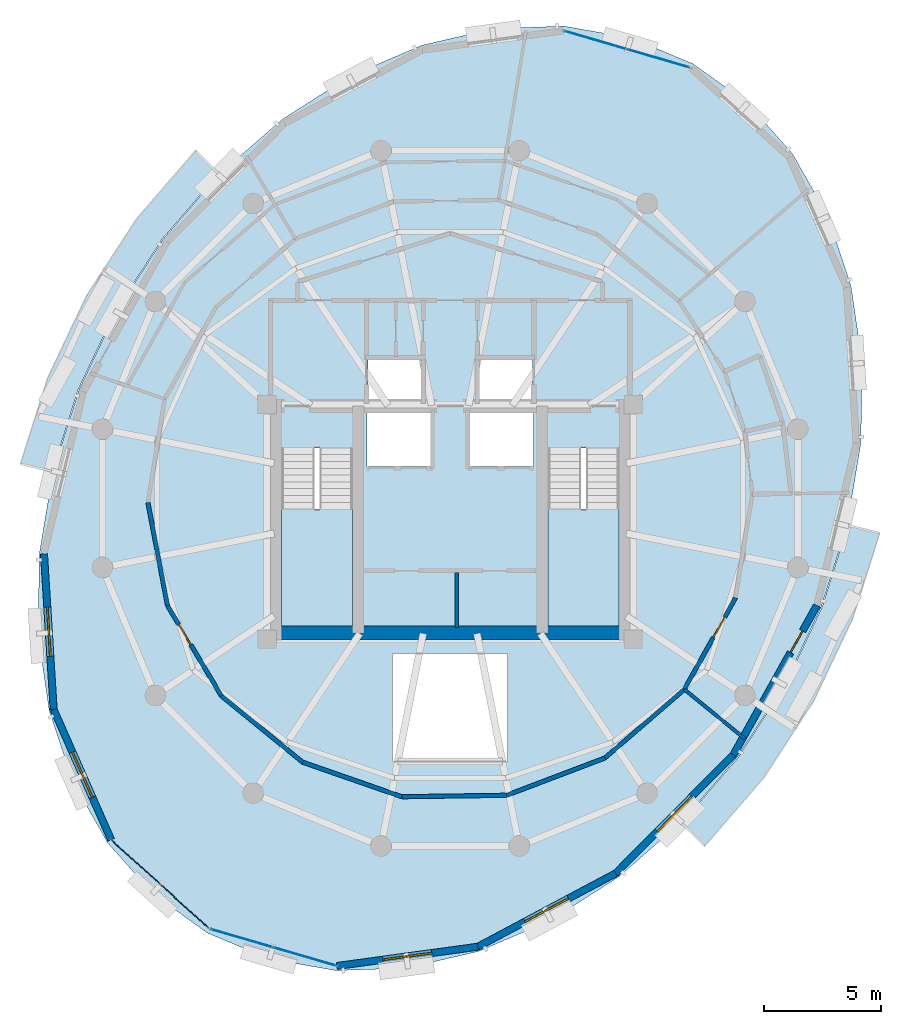
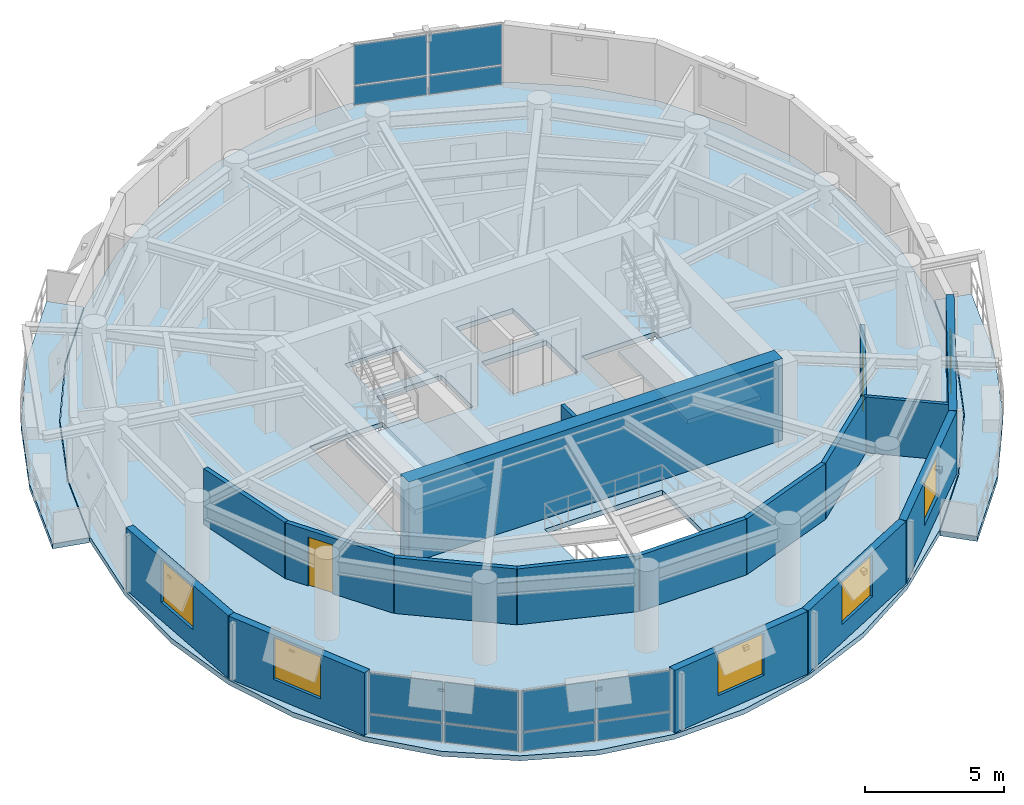
# One storey, part 6 of 11: 17 walls, 12 plates, 5 slabs, 5 windows, 3 doors, 8 openings, 5 elements without a shape of their own.
"""IFC4 building model written with IfcOpenShell, lengths in metres."""

from ifc_helpers import new_model, si_unit, direction, frame, frame_2d, origin, origin_2d, place, context, subcontext, project, spatial, polyline, rectangle, outline, extrude, material, layer, layer_set, type_object, element, fill, aggregate, save


model = new_model("IFC4")

# Units and contexts
model_context = context("Model", 3, precision=1e-05, world=origin(), true_north=direction((0.0, 1.0)))
body_context = subcontext(model_context, "Body", "Model", "MODEL_VIEW")
ifc_project = project(units=[si_unit("LENGTHUNIT", "METRE"), si_unit("AREAUNIT", "SQUARE_METRE"), si_unit("VOLUMEUNIT", "CUBIC_METRE"), si_unit("PLANEANGLEUNIT", "RADIAN"), si_unit("MASSUNIT", "GRAM", prefix="KILO"), si_unit("THERMODYNAMICTEMPERATUREUNIT", "KELVIN"), si_unit("POWERUNIT", "WATT")], contexts=[model_context])

# Site, building, storey
site_placement = place(None, origin())
site = spatial("IfcSite", under=ifc_project, at=site_placement, CompositionType="ELEMENT")
building_placement = place(site_placement, origin())
building = spatial("IfcBuilding", under=site, at=building_placement, Name="Ocrelia Relay Tower", CompositionType="ELEMENT")
storey_placement = place(building_placement, frame((0.0, 0.0, 280.800048828125)))
storey = spatial("IfcBuildingStorey", under=building, at=storey_placement, Name="L70", CompositionType="ELEMENT", Elevation=280.800048828125)

# Curtain wall, plates
ifc_material_1 = material(Name="Aluminium and solar-control low-E glass", Category="aluminium")
ifc_layer_1 = layer(ifc_material_1, 0.179931640625, Name="Aluminium and solar-control low-E glass")
ifc_layer_set_1 = layer_set([ifc_layer_1], Name="Aluminium and solar-control low-E glass")
curtain_wall_type = type_object("IfcCurtainWallType", Name="CW-SYS-Z4-EXEC", PredefinedType="NOTDEFINED", material=ifc_layer_set_1)
curtain_wall_1_placement = place(storey_placement, origin())
curtain_wall_1 = element("IfcCurtainWall", 1, at=curtain_wall_1_placement, inside=storey, type_object=curtain_wall_type, Name="L70 Elliptical Tower Curtain Wall Bay 01", PredefinedType="NOTDEFINED")
ifc_material_2 = material(Name="Clear double-glazed low-E glass", Category="glass")
ifc_layer_2 = layer(ifc_material_2, 0.031982421875, Name="Clear double-glazed low-E glass")
ifc_layer_set_2 = layer_set([ifc_layer_2], Name="Clear double-glazed low-E glass")
plate_type = type_object("IfcPlateType", Name="CW-SYS-Z4-EXEC-PNL", PredefinedType="CURTAIN_PANEL", material=ifc_layer_set_2)
plate_1_placement = place(storey_placement, frame((42.873291015625, 44.731201171875, 0.059814453125), z_axis=(0.0, 0.0, 1.0), x_axis=(-0.960062018454, 0.279787277627, 0.0)))
plate_1 = element("IfcPlate", 2, at=plate_1_placement, type_object=plate_type, Name="CW-Z4 panel 1.1", PredefinedType="CURTAIN_PANEL", context=body_context, shape_type="SweptSolid", body=[
    extrude(rectangle(XDim=2.727783203125, YDim=0.031982421875, at=origin_2d()), origin(), (0.0, 0.0, 1.0), 0.81005859375),
])
plate_2_placement = place(storey_placement, frame((42.873291015625, 44.731201171875, 0.929931640625), z_axis=(0.0, 0.0, 1.0), x_axis=(-0.960062018454, 0.279787277627, 0.0)))
plate_2 = element("IfcPlate", 3, at=plate_2_placement, type_object=plate_type, Name="CW-Z4 panel 1.2", PredefinedType="CURTAIN_PANEL", context=body_context, shape_type="SweptSolid", body=[
    extrude(rectangle(XDim=2.727783203125, YDim=0.031982421875, at=origin_2d()), origin(), (0.0, 0.0, 1.0), 1.77001953125),
])
plate_3_placement = place(storey_placement, frame((40.192138671875, 45.512451171875, 0.059814453125), z_axis=(0.0, 0.0, 1.0), x_axis=(-0.960062018454, 0.279787277627, 0.0)))
plate_3 = element("IfcPlate", 4, at=plate_3_placement, type_object=plate_type, Name="CW-Z4 panel 2.1", PredefinedType="CURTAIN_PANEL", context=body_context, shape_type="SweptSolid", body=[
    extrude(rectangle(XDim=2.727783203125, YDim=0.031982421875, at=origin_2d()), origin(), (0.0, 0.0, 1.0), 0.81005859375),
])
plate_4_placement = place(storey_placement, frame((40.192138671875, 45.512451171875, 0.929931640625), z_axis=(0.0, 0.0, 1.0), x_axis=(-0.960062018454, 0.279787277627, 0.0)))
plate_4 = element("IfcPlate", 5, at=plate_4_placement, type_object=plate_type, Name="CW-Z4 panel 2.2", PredefinedType="CURTAIN_PANEL", context=body_context, shape_type="SweptSolid", body=[
    extrude(rectangle(XDim=2.727783203125, YDim=0.031982421875, at=origin_2d()), origin(), (0.0, 0.0, 1.0), 1.77001953125),
])
aggregate(curtain_wall_1, [plate_1, plate_2, plate_3, plate_4])

curtain_wall_2_placement = place(storey_placement, origin())
curtain_wall_2 = element("IfcCurtainWall", 6, at=curtain_wall_2_placement, inside=storey, type_object=curtain_wall_type, Name="L70 Elliptical Tower Curtain Wall Bay 09", PredefinedType="NOTDEFINED")
plate_5_placement = place(storey_placement, frame((20.625244140625, 10.501708984375, 0.059814453125), z_axis=(0.0, 0.0, 1.0), x_axis=(0.741355880595, -0.671112105618, 0.0)))
plate_5 = element("IfcPlate", 7, at=plate_5_placement, type_object=plate_type, Name="CW-Z4 panel 1.1", PredefinedType="CURTAIN_PANEL", context=body_context, shape_type="SweptSolid", body=[
    extrude(rectangle(XDim=2.727783203125, YDim=0.031982421875, at=origin_2d()), origin(), (0.0, 0.0, 1.0), 0.81005859375),
])
plate_6_placement = place(storey_placement, frame((20.625244140625, 10.501708984375, 0.929931640625), z_axis=(0.0, 0.0, 1.0), x_axis=(0.741355880595, -0.671112105618, 0.0)))
plate_6 = element("IfcPlate", 8, at=plate_6_placement, type_object=plate_type, Name="CW-Z4 panel 1.2", PredefinedType="CURTAIN_PANEL", context=body_context, shape_type="SweptSolid", body=[
    extrude(rectangle(XDim=2.727783203125, YDim=0.031982421875, at=origin_2d()), origin(), (0.0, 0.0, 1.0), 1.77001953125),
])
plate_7_placement = place(storey_placement, frame((22.695556640625, 8.62744140625, 0.059814453125), z_axis=(0.0, 0.0, 1.0), x_axis=(0.741355880595, -0.671112105618, 0.0)))
plate_7 = element("IfcPlate", 9, at=plate_7_placement, type_object=plate_type, Name="CW-Z4 panel 2.1", PredefinedType="CURTAIN_PANEL", context=body_context, shape_type="SweptSolid", body=[
    extrude(rectangle(XDim=2.727783203125, YDim=0.031982421875, at=origin_2d()), origin(), (0.0, 0.0, 1.0), 0.81005859375),
])
plate_8_placement = place(storey_placement, frame((22.695556640625, 8.62744140625, 0.929931640625), z_axis=(0.0, 0.0, 1.0), x_axis=(0.741355880595, -0.671112105618, 0.0)))
plate_8 = element("IfcPlate", 10, at=plate_8_placement, type_object=plate_type, Name="CW-Z4 panel 2.2", PredefinedType="CURTAIN_PANEL", context=body_context, shape_type="SweptSolid", body=[
    extrude(rectangle(XDim=2.727783203125, YDim=0.031982421875, at=origin_2d()), origin(), (0.0, 0.0, 1.0), 1.77001953125),
])
aggregate(curtain_wall_2, [plate_5, plate_6, plate_7, plate_8])

curtain_wall_3_placement = place(storey_placement, origin())
curtain_wall_3 = element("IfcCurtainWall", 11, at=curtain_wall_3_placement, inside=storey, type_object=curtain_wall_type, Name="L70 Elliptical Tower Curtain Wall Bay 10", PredefinedType="NOTDEFINED")
plate_9_placement = place(storey_placement, frame((25.126708984375, 7.268798828125, 0.059814453125), z_axis=(0.0, 0.0, 1.0), x_axis=(0.960062018454, -0.279787277627, 0.0)))
plate_9 = element("IfcPlate", 12, at=plate_9_placement, type_object=plate_type, Name="CW-Z4 panel 1.1", PredefinedType="CURTAIN_PANEL", context=body_context, shape_type="SweptSolid", body=[
    extrude(rectangle(XDim=2.727783203125, YDim=0.031982421875, at=origin_2d()), origin(), (0.0, 0.0, 1.0), 0.81005859375),
])
plate_10_placement = place(storey_placement, frame((25.126708984375, 7.268798828125, 0.929931640625), z_axis=(0.0, 0.0, 1.0), x_axis=(0.960062018454, -0.279787277627, 0.0)))
plate_10 = element("IfcPlate", 13, at=plate_10_placement, type_object=plate_type, Name="CW-Z4 panel 1.2", PredefinedType="CURTAIN_PANEL", context=body_context, shape_type="SweptSolid", body=[
    extrude(rectangle(XDim=2.727783203125, YDim=0.031982421875, at=origin_2d()), origin(), (0.0, 0.0, 1.0), 1.77001953125),
])
plate_11_placement = place(storey_placement, frame((27.807861328125, 6.487548828125, 0.059814453125), z_axis=(0.0, 0.0, 1.0), x_axis=(0.960062018454, -0.279787277627, 0.0)))
plate_11 = element("IfcPlate", 14, at=plate_11_placement, type_object=plate_type, Name="CW-Z4 panel 2.1", PredefinedType="CURTAIN_PANEL", context=body_context, shape_type="SweptSolid", body=[
    extrude(rectangle(XDim=2.727783203125, YDim=0.031982421875, at=origin_2d()), origin(), (0.0, 0.0, 1.0), 0.81005859375),
])
plate_12_placement = place(storey_placement, frame((27.807861328125, 6.487548828125, 0.929931640625), z_axis=(0.0, 0.0, 1.0), x_axis=(0.960062018454, -0.279787277627, 0.0)))
plate_12 = element("IfcPlate", 15, at=plate_12_placement, type_object=plate_type, Name="CW-Z4 panel 2.2", PredefinedType="CURTAIN_PANEL", context=body_context, shape_type="SweptSolid", body=[
    extrude(rectangle(XDim=2.727783203125, YDim=0.031982421875, at=origin_2d()), origin(), (0.0, 0.0, 1.0), 1.77001953125),
])
aggregate(curtain_wall_3, [plate_9, plate_10, plate_11, plate_12])

# Slabs
ifc_material_3 = material(Name="Precast concrete C40/50", Category="concrete")
ifc_layer_3 = layer(ifc_material_3, 0.219970703125, Name="Precast concrete C40/50")
ifc_layer_set_3 = layer_set([ifc_layer_3], Name="Precast concrete C40/50")
slab_type_1 = type_object("IfcSlabType", Name="SL-BALC-220", PredefinedType="FLOOR", material=ifc_layer_set_3)
slab_1_placement = place(storey_placement, frame((0.0, 0.0, -0.219970703125)))
element("IfcSlab", 16, at=slab_1_placement, inside=storey, type_object=slab_type_1, Name="L70 Planted Loggia Balcony B1", PredefinedType="FLOOR", context=body_context, shape_type="SweptSolid", body=[
    extrude(outline(polyline([(24.1455078125, 39.822998046875), (22.952392578125, 38.443115234375), (21.759521484375, 37.06298828125), (19.7451171875, 33.966796875), (18.16357421875, 30.62890625), (17.61328125, 28.889404296875), (17.06298828125, 27.150146484375), (15.7080078125, 27.475830078125), (16.287353515625, 29.30712890625), (16.866943359375, 31.138427734375), (18.529052734375, 34.646484375), (20.64599609375, 37.900390625), (21.902099609375, 39.353271484375), (23.158203125, 40.806396484375), (24.1455078125, 39.822998046875)])), origin(), (0.0, 0.0, 1.0), 0.219970703125),
])
slab_2_placement = place(storey_placement, frame((0.0, 0.0, -0.219970703125)))
element("IfcSlab", 17, at=slab_2_placement, inside=storey, type_object=slab_type_1, Name="L70 Planted Loggia Balcony B2", PredefinedType="FLOOR", context=body_context, shape_type="SweptSolid", body=[
    extrude(outline(polyline([(43.8544921875, 12.177001953125), (45.047607421875, 13.556884765625), (46.240478515625, 14.93701171875), (48.2548828125, 18.033203125), (49.83642578125, 21.37109375), (50.38671875, 23.110595703125), (50.93701171875, 24.849853515625), (52.2919921875, 24.524169921875), (51.712646484375, 22.69287109375), (51.133056640625, 20.861572265625), (49.470947265625, 17.353515625), (47.35400390625, 14.099609375), (46.097900390625, 12.646728515625), (44.841796875, 11.193603515625), (43.8544921875, 12.177001953125)])), origin(), (0.0, 0.0, 1.0), 0.219970703125),
])
ifc_material_4 = material(Name="Concrete C50/60", Category="concrete")
ifc_layer_4 = layer(ifc_material_4, 0.219970703125, Name="Concrete C50/60")
ifc_layer_set_4 = layer_set([ifc_layer_4], Name="Concrete C50/60")
slab_type_2 = type_object("IfcSlabType", Name="SL-FLR-220", PredefinedType="FLOOR", material=ifc_layer_set_4)
slab_3_placement = place(storey_placement, frame((0.0, 0.0, -0.219970703125)))
element("IfcSlab", 18, at=slab_3_placement, inside=storey, type_object=slab_type_2, Name="L70 Elliptical Tower Floor Slab", PredefinedType="FLOOR", context=body_context, shape_type="SweptSolid", body=[
    extrude(outline(polyline([(44.342529296875, 44.505859375), (41.714599609375, 45.605712890625), (38.852294921875, 46.109619140625), (35.8427734375, 46.002685546875), (32.77685546875, 45.287841796875), (29.748291015625, 43.987060546875), (26.84912109375, 42.1396484375), (24.166748046875, 39.802001953125), (21.783447265625, 37.044921875), (19.771484375, 33.9521484375), (18.191650390625, 30.617919921875), (17.092041015625, 27.14306640625), (16.50634765625, 23.6337890625), (16.4521484375, 20.1962890625), (16.93115234375, 16.93505859375), (17.9287109375, 13.949462890625), (19.41455078125, 11.329833984375), (21.34375, 9.156005859375), (23.657470703125, 7.494140625), (26.285400390625, 6.394287109375), (29.147705078125, 5.890380859375), (32.1572265625, 5.997314453125), (35.22314453125, 6.712158203125), (38.251708984375, 8.012939453125), (41.15087890625, 9.8603515625), (43.833251953125, 12.197998046875), (46.216552734375, 14.955078125), (48.228515625, 18.0478515625), (49.808349609375, 21.382080078125), (50.907958984375, 24.85693359375), (51.49365234375, 28.3662109375), (51.5478515625, 31.8037109375), (51.06884765625, 35.06494140625), (50.0712890625, 38.050537109375), (48.58544921875, 40.670166015625), (46.65625, 42.843994140625), (44.342529296875, 44.505859375)]), holes=[polyline([(26.81005859375, 28.14990234375), (26.81005859375, 20.550048828125), (29.85009765625, 20.550048828125), (29.85009765625, 28.14990234375), (26.81005859375, 28.14990234375)]), polyline([(38.159912109375, 28.14990234375), (38.159912109375, 20.550048828125), (41.199951171875, 20.550048828125), (41.199951171875, 28.14990234375), (38.159912109375, 28.14990234375)]), polyline([(30.4599609375, 27.35009765625), (33.159912109375, 27.35009765625), (33.159912109375, 29.64990234375), (30.4599609375, 29.64990234375), (30.4599609375, 27.35009765625)]), polyline([(34.840087890625, 27.35009765625), (37.5400390625, 27.35009765625), (37.5400390625, 29.64990234375), (34.840087890625, 29.64990234375), (34.840087890625, 27.35009765625)]), polyline([(30.5, 30.10009765625), (32.85009765625, 30.10009765625), (32.85009765625, 32.0), (30.5, 32.0), (30.5, 30.10009765625)]), polyline([(35.14990234375, 30.10009765625), (37.5, 30.10009765625), (37.5, 32.0), (35.14990234375, 32.0), (35.14990234375, 30.10009765625)]), polyline([(31.550048828125, 14.800048828125), (36.449951171875, 14.800048828125), (36.449951171875, 19.39990234375), (31.550048828125, 19.39990234375), (31.550048828125, 14.800048828125)])]), origin(), (0.0, 0.0, 1.0), 0.219970703125),
])

# Stair, slab
stair_type = type_object("IfcStairType", Name="ST-DL-1420-R180", PredefinedType="HALF_TURN_STAIR", material=ifc_material_4)
stair_1_placement = place(storey_placement, origin())
stair_1 = element("IfcStair", 19, at=stair_1_placement, inside=storey, type_object=stair_type, Name="L70 West Core Exit Stair ST1", PredefinedType="HALF_TURN_STAIR")
ifc_layer_5 = layer(ifc_material_4, 0.199951171875, Name="Concrete C50/60")
ifc_layer_set_5 = layer_set([ifc_layer_5], Name="Concrete C50/60")
slab_type_3 = type_object("IfcSlabType", Name="SL-LANDING-200", PredefinedType="LANDING", material=ifc_layer_set_5)
slab_4_placement = place(storey_placement, frame((0.0, 0.0, 1.599853515625)))
slab_4 = element("IfcSlab", 20, at=slab_4_placement, type_object=slab_type_3, Name="ST1 landing 1", PredefinedType="LANDING", context=body_context, shape_type="SweptSolid", body=[
    extrude(outline(polyline([(26.81005859375, 25.5400390625), (26.81005859375, 20.550048828125), (29.85009765625, 20.550048828125), (29.85009765625, 25.5400390625), (26.81005859375, 25.5400390625)])), origin(), (0.0, 0.0, 1.0), 0.2001953125),
])
aggregate(stair_1, [slab_4])

stair_2_placement = place(storey_placement, origin())
stair_2 = element("IfcStair", 21, at=stair_2_placement, inside=storey, type_object=stair_type, Name="L70 East Core Exit Stair ST2", PredefinedType="HALF_TURN_STAIR")
slab_5_placement = place(storey_placement, frame((0.0, 0.0, 1.599853515625)))
slab_5 = element("IfcSlab", 22, at=slab_5_placement, type_object=slab_type_3, Name="ST2 landing 1", PredefinedType="LANDING", context=body_context, shape_type="SweptSolid", body=[
    extrude(outline(polyline([(38.159912109375, 25.5400390625), (38.159912109375, 20.550048828125), (41.199951171875, 20.550048828125), (41.199951171875, 25.5400390625), (38.159912109375, 25.5400390625)])), origin(), (0.0, 0.0, 1.0), 0.2001953125),
])
aggregate(stair_2, [slab_5])

# Walls
ifc_layer_6 = layer(ifc_material_4, 0.60009765625, Name="Concrete C50/60")
ifc_layer_set_6 = layer_set([ifc_layer_6], Name="Concrete C50/60")
wall_type_1 = type_object("IfcWallType", Name="CW-CORE-600B", PredefinedType="SHEAR", material=ifc_layer_set_6)
wall_1_placement = place(storey_placement, frame((26.221923828125, 20.261962890625, 0.0), z_axis=(0.0, 0.0, 1.0), x_axis=(1.0, 0.0, 0.0)))
element("IfcWall", 23, at=wall_1_placement, inside=storey, type_object=wall_type_1, Name="L70 Core Shear Wall S", PredefinedType="SHEAR", context=body_context, shape_type="SweptSolid", body=[
    extrude(rectangle(XDim=15.566162109375, YDim=0.60009765625, at=frame_2d((7.783203125, 0.0))), origin(), (0.0, 0.0, 1.0), 3.599853515625),
])
ifc_material_5 = material(Name="Gypsum Fireboard Partition EI60", Category="gypsum")
ifc_layer_7 = layer(ifc_material_5, 0.179931640625, Name="Gypsum Fireboard Partition EI60")
ifc_layer_set_7 = layer_set([ifc_layer_7], Name="Gypsum Fireboard Partition EI60")
wall_type_2 = type_object("IfcWallType", Name="W-CORR-EI60-180", PredefinedType="PARTITIONING", material=ifc_layer_set_7)
wall_2_placement = place(storey_placement, frame((21.13134765625, 25.8203125, 0.0), z_axis=(0.0, 0.0, 1.0), x_axis=(0.187348034015, -0.982293598753, 0.0)))
element("IfcWall", 24, at=wall_2_placement, inside=storey, type_object=wall_type_2, Name="L70 Diplomatic Protocol Foyer Corridor Partition 2", PredefinedType="PARTITIONING", context=body_context, shape_type="SweptSolid", body=[
    extrude(rectangle(XDim=4.4697265625, YDim=0.179931640625, at=frame_2d((2.23486328125, 0.0))), origin(), (0.0, 0.0, 1.0), 2.4599609375),
])

# Wall, opening, door
wall_3_placement = place(storey_placement, frame((21.96875, 21.4296875, 0.0), z_axis=(0.0, 0.0, 1.0), x_axis=(0.512083917076, -0.858935423575, 0.0)))
wall_3 = element("IfcWall", 25, at=wall_3_placement, inside=storey, type_object=wall_type_2, Name="L70 Diplomatic Protocol Foyer Corridor Partition 3", PredefinedType="PARTITIONING", context=body_context, shape_type="SweptSolid", body=[
    extrude(rectangle(XDim=4.4697265625, YDim=0.179931640625, at=frame_2d((2.23486328125, 0.0))), origin(), (0.0, 0.0, 1.0), 2.4599609375),
])
opening_1_placement = place(wall_3_placement, frame((0.9423828125, 0.0, 0.0)))
opening_1 = element("IfcOpeningElement", 26, at=opening_1_placement, cuts=wall_3, Name="Opening D-RM100", PredefinedType="OPENING", context=body_context, shape_type="SweptSolid", body=[
    extrude(rectangle(XDim=1.0, YDim=2.14990234375, at=frame_2d((0.5, 1.074951171875))), frame((0.0, 0.10009765625, 0.0), z_axis=(0.0, -1.0, 0.0), x_axis=(1.0, 0.0, 0.0)), (0.0, 0.0, 1.0), 0.199951171875),
])
ifc_material_6 = material(Name="Acoustic oak veneer fire door", Category="wood")
door_type_1 = type_object("IfcDoorType", Name="DR-ROOM-FD60-1000", OperationType="NOTDEFINED", PredefinedType="DOOR", material=ifc_material_6)
door_1_placement = place(opening_1_placement, origin())
door_1 = element("IfcDoor", 27, at=door_1_placement, inside=storey, type_object=door_type_1, Name="L70 Diplomatic Protocol Foyer Entrance Door", OperationType="SINGLE_SWING_LEFT", OverallHeight=2.14990234375, OverallWidth=1.0, PredefinedType="DOOR", context=body_context, shape_type="SweptSolid", body=[
    extrude(rectangle(XDim=1.0, YDim=2.14990234375, at=frame_2d((0.5, 1.074951171875))), frame((0.0, 0.02490234375, 0.0), z_axis=(0.0, -1.0, 0.0), x_axis=(1.0, 0.0, 0.0)), (0.0, 0.0, 1.0), 0.050048828125),
])
fill(opening_1, door_1)

# Walls
for number, where, z_axis, x_axis, name in (
    (28, (24.257568359375, 17.590576171875, 0.0), (0.0, 0.0, 1.0), (0.774907966297, -0.632074080919, 0.0), "L70 Diplomatic Protocol Foyer Corridor Partition 4"),
    (29, (27.72119140625, 14.765380859375, 0.0), (0.0, 0.0, 1.0), (0.944393587755, -0.328817200595, 0.0), "L70 Diplomatic Protocol Foyer Corridor Partition 5"),
    (30, (31.9423828125, 13.295654296875, 0.0), (0.0, 0.0, 1.0), (0.99990299363, 0.013928507778, 0.0), "L70 Diplomatic Protocol Foyer Corridor Partition 6"),
    (31, (36.41162109375, 13.35791015625, 0.0), (0.0, 0.0, 1.0), (0.934814409171, 0.355136622169, 0.0), "L70 Diplomatic Protocol Foyer Corridor Partition 7"),
):
    element("IfcWall", number, at=place(storey_placement, frame(where, z_axis=z_axis, x_axis=x_axis)), inside=storey, type_object=wall_type_2, Name=name, PredefinedType="PARTITIONING", context=body_context, shape_type="SweptSolid", body=[
        extrude(rectangle(XDim=4.4697265625, YDim=0.179931640625, at=frame_2d((2.23486328125, 0.0))), origin(), (0.0, 0.0, 1.0), 2.4599609375),
    ])
wall_4_placement = place(storey_placement, frame((40.590087890625, 14.9453125, 0.0), z_axis=(0.0, 0.0, 1.0), x_axis=(0.756992481262, 0.653423586438, 0.0)))
element("IfcWall", 32, at=wall_4_placement, inside=storey, type_object=wall_type_2, Name="L70 Diplomatic Protocol Foyer Corridor Partition 8", PredefinedType="PARTITIONING", context=body_context, shape_type="SweptSolid", body=[
    extrude(rectangle(XDim=4.469482421875, YDim=0.179931640625, at=frame_2d((2.23486328125, 0.0))), origin(), (0.0, 0.0, 1.0), 2.4599609375),
])

# Wall, opening, door
wall_5_placement = place(storey_placement, frame((43.973388671875, 17.86572265625, 0.0), z_axis=(0.0, 0.0, 1.0), x_axis=(0.487858082028, 0.872922958685, 0.0)))
wall_5 = element("IfcWall", 33, at=wall_5_placement, inside=storey, type_object=wall_type_2, Name="L70 Technician Tea Pantry Corridor Partition 1", PredefinedType="PARTITIONING", context=body_context, shape_type="SweptSolid", body=[
    extrude(rectangle(XDim=4.469970703125, YDim=0.179931640625, at=frame_2d((2.23486328125, 0.0))), origin(), (0.0, 0.0, 1.0), 2.4599609375),
])
opening_2_placement = place(wall_5_placement, frame((2.52734375, 0.0, 0.0)))
opening_2 = element("IfcOpeningElement", 34, at=opening_2_placement, cuts=wall_5, Name="Opening D-RM100", PredefinedType="OPENING", context=body_context, shape_type="SweptSolid", body=[
    extrude(rectangle(XDim=1.0, YDim=2.14990234375, at=frame_2d((0.5, 1.074951171875))), frame((0.0, 0.10009765625, 0.0), z_axis=(0.0, -1.0, 0.0), x_axis=(1.0, 0.0, 0.0)), (0.0, 0.0, 1.0), 0.199951171875),
])
door_2_placement = place(opening_2_placement, origin())
door_2 = element("IfcDoor", 35, at=door_2_placement, inside=storey, type_object=door_type_1, Name="L70 Technician Tea Pantry Entrance Door", OperationType="SINGLE_SWING_RIGHT", OverallHeight=2.14990234375, OverallWidth=1.0, PredefinedType="DOOR", context=body_context, shape_type="SweptSolid", body=[
    extrude(rectangle(XDim=1.0, YDim=2.14990234375, at=frame_2d((0.5, 1.074951171875))), frame((0.0, 0.02490234375, 0.0), z_axis=(0.0, -1.0, 0.0), x_axis=(1.0, 0.0, 0.0)), (0.0, 0.0, 1.0), 0.050048828125),
])
fill(opening_2, door_2)

# Wall, opening, window
ifc_material_7 = material(Name="Precast concrete C40/50 with oxide terracotta", Category="masonry")
ifc_layer_8 = layer(ifc_material_7, 0.300048828125, Name="Precast concrete C40/50 with oxide terracotta")
ifc_layer_set_8 = layer_set([ifc_layer_8], Name="Precast concrete C40/50 with oxide terracotta")
wall_type_3 = type_object("IfcWallType", Name="W-EXT-TERR-300", PredefinedType="SOLIDWALL", material=ifc_layer_set_8)
wall_6_placement = place(storey_placement, frame((16.706298828125, 23.636474609375, 0.0), z_axis=(0.0, 0.0, 1.0), x_axis=(0.06199847646, -0.99807624404, 0.0)))
wall_6 = element("IfcWall", 36, at=wall_6_placement, inside=storey, type_object=wall_type_3, Name="L70 Oxide Terracotta Facade Wall 07", PredefinedType="SOLIDWALL", context=body_context, shape_type="SweptSolid", body=[
    extrude(rectangle(XDim=6.64306640625, YDim=0.300048828125, at=frame_2d((3.321533203125, 0.0))), origin(), (0.0, 0.0, 1.0), 2.760009765625),
])
opening_3_placement = place(wall_6_placement, frame((2.27197265625, 0.0, 0.800048828125)))
opening_3 = element("IfcOpeningElement", 37, at=opening_3_placement, cuts=wall_6, Name="Opening W-07", PredefinedType="OPENING", context=body_context, shape_type="SweptSolid", body=[
    extrude(rectangle(XDim=2.10009765625, YDim=1.85009765625, at=frame_2d((1.050048828125, 0.925048828125))), frame((0.0, 0.16015625, 0.0), z_axis=(0.0, -1.0, 0.0), x_axis=(1.0, 0.0, 0.0)), (0.0, 0.0, 1.0), 0.320068359375),
])
window_type = type_object("IfcWindowType", Name="WIN-Z4-2100x2200", PartitioningType="DOUBLE_PANEL_VERTICAL", PredefinedType="WINDOW", material=ifc_material_2)
window_1_placement = place(opening_3_placement, origin())
window_1 = element("IfcWindow", 38, at=window_1_placement, inside=storey, type_object=window_type, Name="L70 Facade Module Window 07", OverallHeight=1.85009765625, OverallWidth=2.10009765625, PartitioningType="SINGLE_PANEL", PredefinedType="WINDOW", context=body_context, shape_type="SweptSolid", body=[
    extrude(rectangle(XDim=2.10009765625, YDim=1.85009765625, at=frame_2d((1.050048828125, 0.925048828125))), frame((0.0, 0.030029296875, 0.0), z_axis=(0.0, -1.0, 0.0), x_axis=(1.0, 0.0, 0.0)), (0.0, 0.0, 1.0), 0.06005859375),
])
fill(opening_3, window_1)

wall_7_placement = place(storey_placement, frame((17.1181640625, 17.006103515625, 0.0), z_axis=(0.0, 0.0, 1.0), x_axis=(0.40381273821, -0.91484166524, 0.0)))
wall_7 = element("IfcWall", 39, at=wall_7_placement, inside=storey, type_object=wall_type_3, Name="L70 Oxide Terracotta Facade Wall 08", PredefinedType="SOLIDWALL", context=body_context, shape_type="SweptSolid", body=[
    extrude(rectangle(XDim=6.0615234375, YDim=0.300048828125, at=frame_2d((3.03076171875, 0.0))), origin(), (0.0, 0.0, 1.0), 2.760009765625),
])
opening_4_placement = place(wall_7_placement, frame((1.98095703125, 0.0, 0.800048828125)))
opening_4 = element("IfcOpeningElement", 40, at=opening_4_placement, cuts=wall_7, Name="Opening W-07", PredefinedType="OPENING", context=body_context, shape_type="SweptSolid", body=[
    extrude(rectangle(XDim=2.10009765625, YDim=1.85009765625, at=frame_2d((1.050048828125, 0.925048828125))), frame((0.0, 0.16015625, 0.0), z_axis=(0.0, -1.0, 0.0), x_axis=(1.0, 0.0, 0.0)), (0.0, 0.0, 1.0), 0.320068359375),
])
window_2_placement = place(opening_4_placement, origin())
window_2 = element("IfcWindow", 41, at=window_2_placement, inside=storey, type_object=window_type, Name="L70 Facade Module Window 08", OverallHeight=1.85009765625, OverallWidth=2.10009765625, PartitioningType="SINGLE_PANEL", PredefinedType="WINDOW", context=body_context, shape_type="SweptSolid", body=[
    extrude(rectangle(XDim=2.10009765625, YDim=1.85009765625, at=frame_2d((1.050048828125, 0.925048828125))), frame((0.0, 0.030029296875, 0.0), z_axis=(0.0, -1.0, 0.0), x_axis=(1.0, 0.0, 0.0)), (0.0, 0.0, 1.0), 0.06005859375),
])
fill(opening_4, window_2)

wall_8_placement = place(storey_placement, frame((29.1796875, 6.087646484375, 0.0), z_axis=(0.0, 0.0, 1.0), x_axis=(0.99078452566, 0.135447494301, 0.0)))
wall_8 = element("IfcWall", 42, at=wall_8_placement, inside=storey, type_object=wall_type_3, Name="L70 Oxide Terracotta Facade Wall 11", PredefinedType="SOLIDWALL", context=body_context, shape_type="SweptSolid", body=[
    extrude(rectangle(XDim=6.061767578125, YDim=0.300048828125, at=frame_2d((3.03076171875, 0.0))), origin(), (0.0, 0.0, 1.0), 2.760009765625),
])
opening_5_placement = place(wall_8_placement, frame((1.98095703125, 0.0, 0.800048828125)))
opening_5 = element("IfcOpeningElement", 43, at=opening_5_placement, cuts=wall_8, Name="Opening W-07", PredefinedType="OPENING", context=body_context, shape_type="SweptSolid", body=[
    extrude(rectangle(XDim=2.10009765625, YDim=1.85009765625, at=frame_2d((1.050048828125, 0.925048828125))), frame((0.0, 0.16015625, 0.0), z_axis=(0.0, -1.0, 0.0), x_axis=(1.0, 0.0, 0.0)), (0.0, 0.0, 1.0), 0.320068359375),
])
window_3_placement = place(opening_5_placement, origin())
window_3 = element("IfcWindow", 44, at=window_3_placement, inside=storey, type_object=window_type, Name="L70 Facade Module Window 11", OverallHeight=1.85009765625, OverallWidth=2.10009765625, PartitioningType="SINGLE_PANEL", PredefinedType="WINDOW", context=body_context, shape_type="SweptSolid", body=[
    extrude(rectangle(XDim=2.10009765625, YDim=1.85009765625, at=frame_2d((1.050048828125, 0.925048828125))), frame((0.0, 0.030029296875, 0.0), z_axis=(0.0, -1.0, 0.0), x_axis=(1.0, 0.0, 0.0)), (0.0, 0.0, 1.0), 0.06005859375),
])
fill(opening_5, window_3)

wall_9_placement = place(storey_placement, frame((35.185546875, 6.90869140625, 0.0), z_axis=(0.0, 0.0, 1.0), x_axis=(0.882581737435, 0.470158990923, 0.0)))
wall_9 = element("IfcWall", 45, at=wall_9_placement, inside=storey, type_object=wall_type_3, Name="L70 Oxide Terracotta Facade Wall 12", PredefinedType="SOLIDWALL", context=body_context, shape_type="SweptSolid", body=[
    extrude(rectangle(XDim=6.64306640625, YDim=0.300048828125, at=frame_2d((3.321533203125, 0.0))), origin(), (0.0, 0.0, 1.0), 2.760009765625),
])
opening_6_placement = place(wall_9_placement, frame((2.27197265625, 0.0, 0.800048828125)))
opening_6 = element("IfcOpeningElement", 46, at=opening_6_placement, cuts=wall_9, Name="Opening W-07", PredefinedType="OPENING", context=body_context, shape_type="SweptSolid", body=[
    extrude(rectangle(XDim=2.10009765625, YDim=1.85009765625, at=frame_2d((1.050048828125, 0.925048828125))), frame((0.0, 0.16015625, 0.0), z_axis=(0.0, -1.0, 0.0), x_axis=(1.0, 0.0, 0.0)), (0.0, 0.0, 1.0), 0.320068359375),
])
window_4_placement = place(opening_6_placement, origin())
window_4 = element("IfcWindow", 47, at=window_4_placement, inside=storey, type_object=window_type, Name="L70 Facade Module Window 12", OverallHeight=1.85009765625, OverallWidth=2.10009765625, PartitioningType="SINGLE_PANEL", PredefinedType="WINDOW", context=body_context, shape_type="SweptSolid", body=[
    extrude(rectangle(XDim=2.10009765625, YDim=1.85009765625, at=frame_2d((1.050048828125, 0.925048828125))), frame((0.0, 0.030029296875, 0.0), z_axis=(0.0, -1.0, 0.0), x_axis=(1.0, 0.0, 0.0)), (0.0, 0.0, 1.0), 0.06005859375),
])
fill(opening_6, window_4)

wall_10_placement = place(storey_placement, frame((41.048583984375, 10.031982421875, 0.0), z_axis=(0.0, 0.0, 1.0), x_axis=(0.704528696966, 0.709675499895, 0.0)))
wall_10 = element("IfcWall", 48, at=wall_10_placement, inside=storey, type_object=wall_type_3, Name="L70 Oxide Terracotta Facade Wall 13", PredefinedType="SOLIDWALL", context=body_context, shape_type="SweptSolid", body=[
    extrude(rectangle(XDim=7.115234375, YDim=0.300048828125, at=frame_2d((3.5576171875, 0.0))), origin(), (0.0, 0.0, 1.0), 2.760009765625),
])
opening_7_placement = place(wall_10_placement, frame((2.508056640625, 0.0, 0.800048828125)))
opening_7 = element("IfcOpeningElement", 49, at=opening_7_placement, cuts=wall_10, Name="Opening W-07", PredefinedType="OPENING", context=body_context, shape_type="SweptSolid", body=[
    extrude(rectangle(XDim=2.10009765625, YDim=1.85009765625, at=frame_2d((1.050048828125, 0.925048828125))), frame((0.0, 0.16015625, 0.0), z_axis=(0.0, -1.0, 0.0), x_axis=(1.0, 0.0, 0.0)), (0.0, 0.0, 1.0), 0.320068359375),
])
window_5_placement = place(opening_7_placement, origin())
window_5 = element("IfcWindow", 50, at=window_5_placement, inside=storey, type_object=window_type, Name="L70 Facade Module Window 13", OverallHeight=1.85009765625, OverallWidth=2.10009765625, PartitioningType="SINGLE_PANEL", PredefinedType="WINDOW", context=body_context, shape_type="SweptSolid", body=[
    extrude(rectangle(XDim=2.10009765625, YDim=1.85009765625, at=frame_2d((1.050048828125, 0.925048828125))), frame((0.0, 0.030029296875, 0.0), z_axis=(0.0, -1.0, 0.0), x_axis=(1.0, 0.0, 0.0)), (0.0, 0.0, 1.0), 0.06005859375),
])
fill(opening_7, window_5)

# Wall, opening, door
wall_11_placement = place(storey_placement, frame((46.0615234375, 15.08154296875, 0.0), z_axis=(0.0, 0.0, 1.0), x_axis=(0.487861120846, 0.872921260348, 0.0)))
wall_11 = element("IfcWall", 51, at=wall_11_placement, inside=storey, type_object=wall_type_3, Name="L70 Oxide Terracotta Facade Wall 14", PredefinedType="SOLIDWALL", context=body_context, shape_type="SweptSolid", body=[
    extrude(rectangle(XDim=7.293212890625, YDim=0.300048828125, at=frame_2d((3.646484375, 0.0))), origin(), (0.0, 0.0, 1.0), 2.760009765625),
])
opening_8_placement = place(wall_11_placement, frame((4.989990234375, 0.0, 0.0)))
opening_8 = element("IfcOpeningElement", 52, at=opening_8_placement, cuts=wall_11, Name="Opening DB-105", PredefinedType="OPENING", context=body_context, shape_type="SweptSolid", body=[
    extrude(rectangle(XDim=1.050048828125, YDim=2.14990234375, at=frame_2d((0.52490234375, 1.074951171875))), frame((0.0, 0.16015625, 0.0), z_axis=(0.0, -1.0, 0.0), x_axis=(1.0, 0.0, 0.0)), (0.0, 0.0, 1.0), 0.320068359375),
])
ifc_material_8 = material(Name="Thermally broken aluminium and clear glass", Category="aluminium")
door_type_2 = type_object("IfcDoorType", Name="DR-BALC-1050", OperationType="NOTDEFINED", PredefinedType="DOOR", material=ifc_material_8)
door_3_placement = place(opening_8_placement, origin())
door_3 = element("IfcDoor", 53, at=door_3_placement, inside=storey, type_object=door_type_2, Name="L70 Planted Loggia Balcony Door B2", OperationType="SINGLE_SWING_LEFT", OverallHeight=2.14990234375, OverallWidth=1.050048828125, PredefinedType="DOOR", context=body_context, shape_type="SweptSolid", body=[
    extrude(rectangle(XDim=1.050048828125, YDim=2.14990234375, at=frame_2d((0.52490234375, 1.074951171875))), frame((0.0, 0.02490234375, 0.0), z_axis=(0.0, -1.0, 0.0), x_axis=(1.0, 0.0, 0.0)), (0.0, 0.0, 1.0), 0.050048828125),
])
fill(opening_8, door_3)

# Walls
ifc_material_9 = material(Name="Acoustic Fireboard Partition EI60", Category="gypsum")
ifc_layer_9 = layer(ifc_material_9, 0.139892578125, Name="Acoustic Fireboard Partition EI60")
ifc_layer_set_9 = layer_set([ifc_layer_9], Name="Acoustic Fireboard Partition EI60")
wall_type_4 = type_object("IfcWallType", Name="W-PART-140", PredefinedType="PARTITIONING", material=ifc_layer_set_9)
wall_12_placement = place(storey_placement, frame((43.973388671875, 17.86572265625, 0.0), z_axis=(0.0, 0.0, 1.0), x_axis=(0.774978373088, -0.631987754032, 0.0)))
element("IfcWall", 54, at=wall_12_placement, inside=storey, type_object=wall_type_4, Name="L70 Diplomatic Protocol Foyer Radial Partition", PredefinedType="PARTITIONING", context=body_context, shape_type="SweptSolid", body=[
    extrude(rectangle(XDim=3.3310546875, YDim=0.139892578125, at=frame_2d((1.66552734375, 0.0))), origin(), (0.0, 0.0, 1.0), 2.4599609375),
])
ifc_layer_10 = layer(ifc_material_9, 0.14990234375, Name="Acoustic Fireboard Partition EI60")
ifc_layer_set_10 = layer_set([ifc_layer_10], Name="Acoustic Fireboard Partition EI60")
wall_type_5 = type_object("IfcWallType", Name="W-PART-150", PredefinedType="PARTITIONING", material=ifc_layer_set_10)
wall_13_placement = place(storey_placement, frame((34.2900390625, 20.5, 0.0), z_axis=(0.0, 0.0, 1.0), x_axis=(0.0, 1.0, 0.0)))
element("IfcWall", 55, at=wall_13_placement, inside=storey, type_object=wall_type_5, Name="L70 Reclaimed Core Dividing Wall", PredefinedType="PARTITIONING", context=body_context, shape_type="SweptSolid", body=[
    extrude(rectangle(XDim=2.340087890625, YDim=0.14990234375, at=frame_2d((1.169921875, 0.0))), origin(), (0.0, 0.0, 1.0), 2.4599609375),
])

save(model, "model.ifc")
